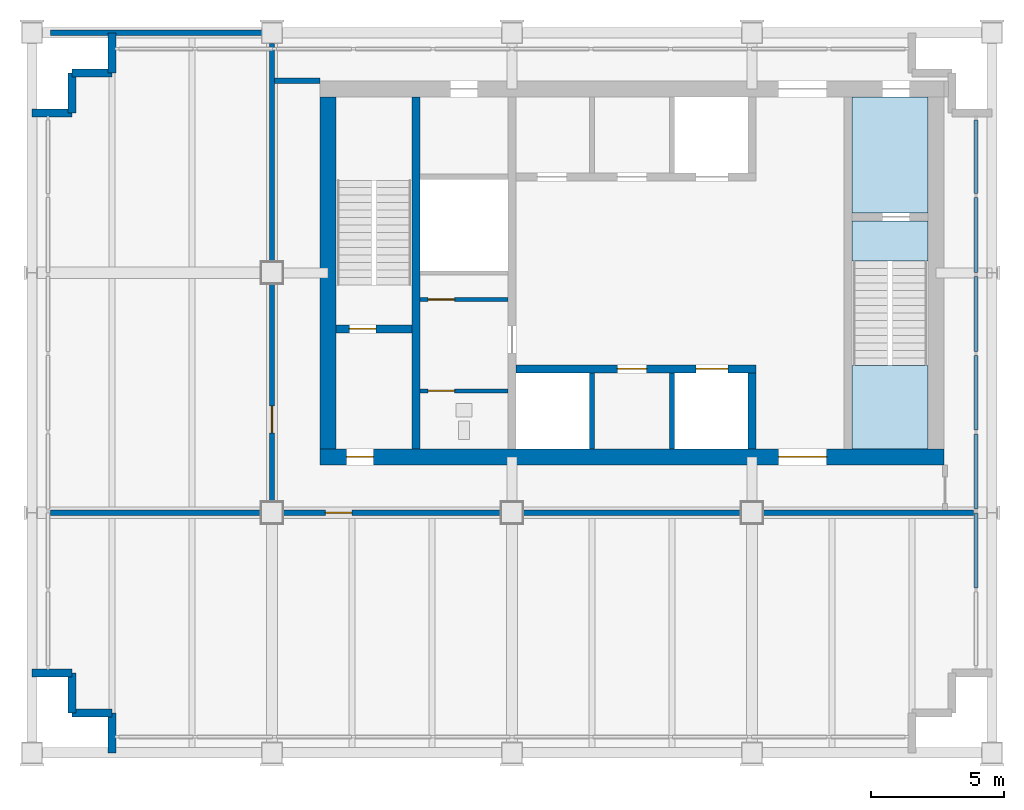
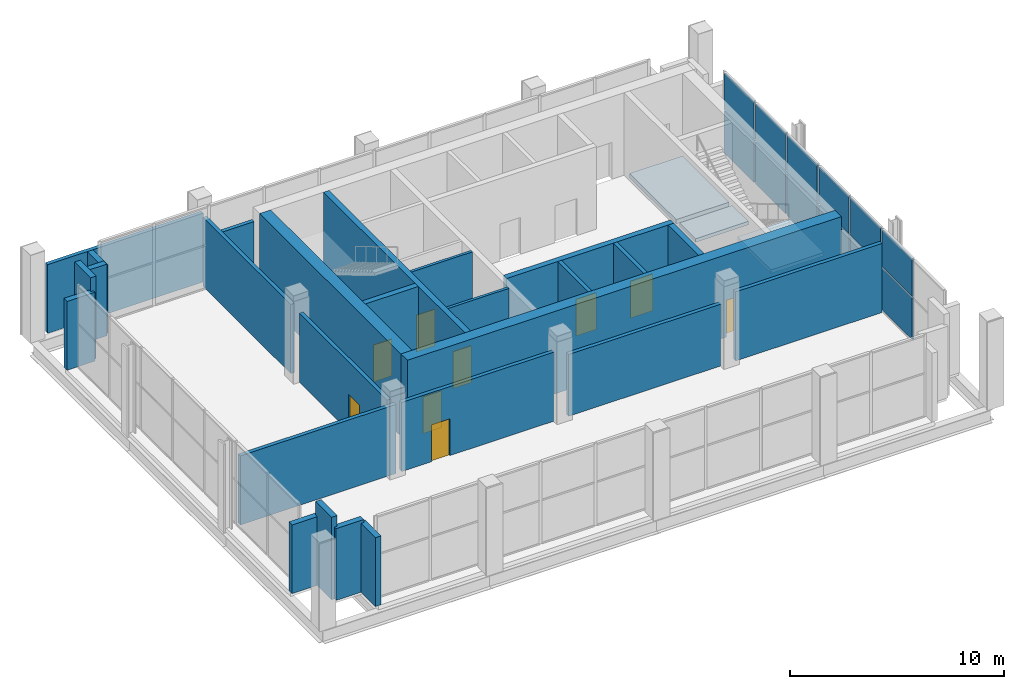
# One storey, part 7 of 10: 26 walls, 12 plates, 9 doors, 3 slabs, 9 openings, 2 elements without a shape of their own.
"""IFC4 building model written with IfcOpenShell, lengths in metres."""

from ifc_helpers import new_model, si_unit, direction, frame, frame_2d, origin, origin_2d, place, context, subcontext, project, spatial, polyline, rectangle, outline, extrude, material, layer, layer_set, type_object, element, fill, aggregate, save


model = new_model("IFC4")

# Units and contexts
model_context = context("Model", 3, precision=1e-05, world=origin(), true_north=direction((0.0, 1.0)))
body_context = subcontext(model_context, "Body", "Model", "MODEL_VIEW")
ifc_project = project(units=[si_unit("LENGTHUNIT", "METRE"), si_unit("AREAUNIT", "SQUARE_METRE"), si_unit("VOLUMEUNIT", "CUBIC_METRE"), si_unit("PLANEANGLEUNIT", "RADIAN"), si_unit("MASSUNIT", "GRAM", prefix="KILO")], contexts=[model_context])

# Site, building, storey
site_placement = place(None, origin())
site = spatial("IfcSite", under=ifc_project, at=site_placement, CompositionType="ELEMENT")
building_placement = place(site_placement, origin())
building = spatial("IfcBuilding", under=site, at=building_placement, Name="Loomwork Tower", CompositionType="ELEMENT")
storey_placement = place(building_placement, frame((0.0, 0.0, 274.800048828125)))
storey = spatial("IfcBuildingStorey", under=building, at=storey_placement, Name="L75", CompositionType="ELEMENT", Elevation=274.800048828125)

# Slab
ifc_material_1 = material(Name="Concrete 5000 psi (34 MPa) on composite metal deck", Category="concrete")
ifc_layer_1 = layer(ifc_material_1, 0.25)
ifc_layer_set_1 = layer_set([ifc_layer_1], Name="Floor slab 250")
slab_type_1 = type_object("IfcSlabType", Name="Floor slab 250", PredefinedType="FLOOR", material=ifc_layer_set_1)
slab_1_placement = place(storey_placement, frame((0.0, 0.0, -0.25)))
element("IfcSlab", 1, at=slab_1_placement, inside=storey, type_object=slab_type_1, Name="Floor slab L75", PredefinedType="FLOOR", context=body_context, shape_type="SweptSolid", body=[
    extrude(outline(polyline([(33.60009765625, 20.25), (30.75, 20.25), (30.75, 24.60009765625), (33.60009765625, 24.60009765625), (33.60009765625, 20.25)])), origin(), (0.0, 0.0, 1.0), 0.25),
])

# Curtain wall, plates
ifc_material_2 = material(Name="Aluminium louvre frame", Category="aluminium")
curtain_wall_type = type_object("IfcCurtainWallType", Name="Plant floor louvre screen", PredefinedType="NOTDEFINED", material=ifc_material_2)
curtain_wall_placement = place(storey_placement, origin())
curtain_wall = element("IfcCurtainWall", 2, at=curtain_wall_placement, inside=storey, type_object=curtain_wall_type, Name="Plant floor louvre screen cw/E", PredefinedType="NOTDEFINED")
ifc_material_3 = material(Name="Aluminium louvre blade panel", Category="aluminium")
ifc_layer_2 = layer(ifc_material_3, 0.10009765625)
ifc_layer_set_2 = layer_set([ifc_layer_2], Name="Plant floor louvre screen panel")
plate_type = type_object("IfcPlateType", Name="Plant floor louvre screen panel", PredefinedType="CURTAIN_PANEL", material=ifc_layer_set_2)
plate_1_placement = place(storey_placement, frame((35.39990234375, 7.585693359375, 0.080078125), z_axis=(0.0, 0.0, 1.0), x_axis=(0.0, 1.0, 0.0)))
plate_1 = element("IfcPlate", 3, at=plate_1_placement, type_object=plate_type, Name="CW4 panel 2.1", PredefinedType="CURTAIN_PANEL", context=body_context, shape_type="SweptSolid", body=[
    extrude(rectangle(XDim=2.80712890625, YDim=0.10009765625, at=origin_2d()), origin(), (0.0, 0.0, 1.0), 2.3798828125),
])
plate_2_placement = place(storey_placement, frame((35.39990234375, 7.585693359375, 2.539794921875), z_axis=(0.0, 0.0, 1.0), x_axis=(0.0, 1.0, 0.0)))
plate_2 = element("IfcPlate", 4, at=plate_2_placement, type_object=plate_type, Name="CW4 panel 2.2", PredefinedType="CURTAIN_PANEL", context=body_context, shape_type="SweptSolid", body=[
    extrude(rectangle(XDim=2.80712890625, YDim=0.10009765625, at=origin_2d()), origin(), (0.0, 0.0, 1.0), 2.080078125),
])
plate_3_placement = place(storey_placement, frame((35.39990234375, 10.54296875, 0.080078125), z_axis=(0.0, 0.0, 1.0), x_axis=(0.0, 1.0, 0.0)))
plate_3 = element("IfcPlate", 5, at=plate_3_placement, type_object=plate_type, Name="CW4 panel 3.1", PredefinedType="CURTAIN_PANEL", context=body_context, shape_type="SweptSolid", body=[
    extrude(rectangle(XDim=2.80712890625, YDim=0.10009765625, at=origin_2d()), origin(), (0.0, 0.0, 1.0), 2.3798828125),
])
plate_4_placement = place(storey_placement, frame((35.39990234375, 10.54296875, 2.539794921875), z_axis=(0.0, 0.0, 1.0), x_axis=(0.0, 1.0, 0.0)))
plate_4 = element("IfcPlate", 6, at=plate_4_placement, type_object=plate_type, Name="CW4 panel 3.2", PredefinedType="CURTAIN_PANEL", context=body_context, shape_type="SweptSolid", body=[
    extrude(rectangle(XDim=2.80712890625, YDim=0.10009765625, at=origin_2d()), origin(), (0.0, 0.0, 1.0), 2.080078125),
])
plate_5_placement = place(storey_placement, frame((35.39990234375, 13.5, 0.080078125), z_axis=(0.0, 0.0, 1.0), x_axis=(0.0, 1.0, 0.0)))
plate_5 = element("IfcPlate", 7, at=plate_5_placement, type_object=plate_type, Name="CW4 panel 4.1", PredefinedType="CURTAIN_PANEL", context=body_context, shape_type="SweptSolid", body=[
    extrude(rectangle(XDim=2.80712890625, YDim=0.10009765625, at=origin_2d()), origin(), (0.0, 0.0, 1.0), 2.3798828125),
])
plate_6_placement = place(storey_placement, frame((35.39990234375, 13.5, 2.539794921875), z_axis=(0.0, 0.0, 1.0), x_axis=(0.0, 1.0, 0.0)))
plate_6 = element("IfcPlate", 8, at=plate_6_placement, type_object=plate_type, Name="CW4 panel 4.2", PredefinedType="CURTAIN_PANEL", context=body_context, shape_type="SweptSolid", body=[
    extrude(rectangle(XDim=2.80712890625, YDim=0.10009765625, at=origin_2d()), origin(), (0.0, 0.0, 1.0), 2.080078125),
])
plate_7_placement = place(storey_placement, frame((35.39990234375, 16.45703125, 0.080078125), z_axis=(0.0, 0.0, 1.0), x_axis=(0.0, 1.0, 0.0)))
plate_7 = element("IfcPlate", 9, at=plate_7_placement, type_object=plate_type, Name="CW4 panel 5.1", PredefinedType="CURTAIN_PANEL", context=body_context, shape_type="SweptSolid", body=[
    extrude(rectangle(XDim=2.80712890625, YDim=0.10009765625, at=origin_2d()), origin(), (0.0, 0.0, 1.0), 2.3798828125),
])
plate_8_placement = place(storey_placement, frame((35.39990234375, 16.45703125, 2.539794921875), z_axis=(0.0, 0.0, 1.0), x_axis=(0.0, 1.0, 0.0)))
plate_8 = element("IfcPlate", 10, at=plate_8_placement, type_object=plate_type, Name="CW4 panel 5.2", PredefinedType="CURTAIN_PANEL", context=body_context, shape_type="SweptSolid", body=[
    extrude(rectangle(XDim=2.80712890625, YDim=0.10009765625, at=origin_2d()), origin(), (0.0, 0.0, 1.0), 2.080078125),
])
plate_9_placement = place(storey_placement, frame((35.39990234375, 19.414306640625, 0.080078125), z_axis=(0.0, 0.0, 1.0), x_axis=(0.0, 1.0, 0.0)))
plate_9 = element("IfcPlate", 11, at=plate_9_placement, type_object=plate_type, Name="CW4 panel 6.1", PredefinedType="CURTAIN_PANEL", context=body_context, shape_type="SweptSolid", body=[
    extrude(rectangle(XDim=2.80712890625, YDim=0.10009765625, at=origin_2d()), origin(), (0.0, 0.0, 1.0), 2.3798828125),
])
plate_10_placement = place(storey_placement, frame((35.39990234375, 19.414306640625, 2.539794921875), z_axis=(0.0, 0.0, 1.0), x_axis=(0.0, 1.0, 0.0)))
plate_10 = element("IfcPlate", 12, at=plate_10_placement, type_object=plate_type, Name="CW4 panel 6.2", PredefinedType="CURTAIN_PANEL", context=body_context, shape_type="SweptSolid", body=[
    extrude(rectangle(XDim=2.80712890625, YDim=0.10009765625, at=origin_2d()), origin(), (0.0, 0.0, 1.0), 2.080078125),
])
plate_11_placement = place(storey_placement, frame((35.39990234375, 22.351318359375, 0.080078125), z_axis=(0.0, 0.0, 1.0), x_axis=(0.0, 1.0, 0.0)))
plate_11 = element("IfcPlate", 13, at=plate_11_placement, type_object=plate_type, Name="CW4 panel 7.1", PredefinedType="CURTAIN_PANEL", context=body_context, shape_type="SweptSolid", body=[
    extrude(rectangle(XDim=2.76708984375, YDim=0.10009765625, at=origin_2d()), origin(), (0.0, 0.0, 1.0), 2.3798828125),
])
plate_12_placement = place(storey_placement, frame((35.39990234375, 22.351318359375, 2.539794921875), z_axis=(0.0, 0.0, 1.0), x_axis=(0.0, 1.0, 0.0)))
plate_12 = element("IfcPlate", 14, at=plate_12_placement, type_object=plate_type, Name="CW4 panel 7.2", PredefinedType="CURTAIN_PANEL", context=body_context, shape_type="SweptSolid", body=[
    extrude(rectangle(XDim=2.76708984375, YDim=0.10009765625, at=origin_2d()), origin(), (0.0, 0.0, 1.0), 2.080078125),
])
aggregate(curtain_wall, [plate_1, plate_2, plate_3, plate_4, plate_5, plate_6, plate_7, plate_8, plate_9, plate_10, plate_11, plate_12])

# Stair, slabs
ifc_material_4 = material(Name="Concrete 5000 psi (34 MPa) precast stair", Category="concrete")
stair_type = type_object("IfcStairType", Name="Stair ST-B 30 risers 2850 wide", PredefinedType="HALF_TURN_STAIR", material=ifc_material_4)
stair_placement = place(storey_placement, origin())
stair = element("IfcStair", 15, at=stair_placement, inside=storey, type_object=stair_type, Name="Stair B L75", PredefinedType="HALF_TURN_STAIR")
ifc_material_5 = material(Name="Concrete 5000 psi (34 MPa)", Category="concrete")
ifc_layer_3 = layer(ifc_material_5, 0.199951171875)
ifc_layer_set_3 = layer_set([ifc_layer_3], Name="Stair landing 200")
slab_type_2 = type_object("IfcSlabType", Name="Stair landing 200", PredefinedType="LANDING", material=ifc_layer_set_3)
slab_2_placement = place(storey_placement, frame((0.0, 0.0, -0.199951171875)))
slab_2 = element("IfcSlab", 16, at=slab_2_placement, type_object=slab_type_2, Name="ST-B landing 1", PredefinedType="LANDING", context=body_context, shape_type="SweptSolid", body=[
    extrude(outline(polyline([(30.75, 18.449951171875), (33.60009765625, 18.449951171875), (33.60009765625, 19.949951171875), (30.75, 19.949951171875), (30.75, 18.449951171875)])), origin(), (0.0, 0.0, 1.0), 0.199951171875),
])
slab_3_placement = place(storey_placement, frame((0.0, 0.0, 2.300048828125)))
slab_3 = element("IfcSlab", 17, at=slab_3_placement, type_object=slab_type_2, Name="ST-B landing 2", PredefinedType="LANDING", context=body_context, shape_type="SweptSolid", body=[
    extrude(outline(polyline([(30.75, 11.39990234375), (33.60009765625, 11.39990234375), (33.60009765625, 14.530029296875), (30.75, 14.530029296875), (30.75, 11.39990234375)])), origin(), (0.0, 0.0, 1.0), 0.199951171875),
])
aggregate(stair, [slab_2, slab_3])

# Wall
ifc_material_6 = material(Name="Concrete 14000 psi (97 MPa)", Category="concrete")
ifc_layer_4 = layer(ifc_material_6, 0.300048828125)
ifc_layer_set_4 = layer_set([ifc_layer_4], Name="Core shear wall 300")
wall_type_1 = type_object("IfcWallType", Name="Core shear wall 300", PredefinedType="SHEAR", material=ifc_layer_set_4)
wall_1_placement = place(storey_placement, frame((14.39990234375, 11.39990234375, 0.0), z_axis=(0.0, 0.0, 1.0), x_axis=(0.0, 1.0, 0.0)))
element("IfcWall", 18, at=wall_1_placement, inside=storey, type_object=wall_type_1, Name="Stair A east wall L75", PredefinedType="SHEAR", context=body_context, shape_type="SweptSolid", body=[
    extrude(rectangle(XDim=13.2001953125, YDim=0.300048828125, at=frame_2d((6.60009765625, 0.0))), origin(), (0.0, 0.0, 1.0), 4.699951171875),
])

# Wall, opening, door
wall_2_placement = place(storey_placement, frame((11.39990234375, 15.89990234375, 0.0), z_axis=(0.0, 0.0, 1.0), x_axis=(1.0, 0.0, 0.0)))
wall_2 = element("IfcWall", 19, at=wall_2_placement, inside=storey, type_object=wall_type_1, Name="Stair A south wall L75", PredefinedType="SHEAR", context=body_context, shape_type="SweptSolid", body=[
    extrude(rectangle(XDim=2.85009765625, YDim=0.300048828125, at=frame_2d((1.425048828125, 0.0))), origin(), (0.0, 0.0, 1.0), 4.699951171875),
])
opening_1_placement = place(wall_2_placement, frame((0.5, 0.0, 0.0)))
opening_1 = element("IfcOpeningElement", 20, at=opening_1_placement, cuts=wall_2, Name="Opening D4", PredefinedType="OPENING", context=body_context, shape_type="SweptSolid", body=[
    extrude(rectangle(XDim=1.0, YDim=2.10009765625, at=frame_2d((0.5, 1.050048828125))), frame((0.0, 0.159912109375, 0.0), z_axis=(0.0, -1.0, 0.0), x_axis=(1.0, 0.0, 0.0)), (0.0, 0.0, 1.0), 0.320068359375),
])
ifc_material_7 = material(Name="Hollow metal door and frame")
door_type_1 = type_object("IfcDoorType", Name="Stair door 1000", OperationType="SINGLE_SWING_RIGHT", PredefinedType="DOOR", material=ifc_material_7)
door_1_placement = place(opening_1_placement, origin())
door_1 = element("IfcDoor", 21, at=door_1_placement, inside=storey, type_object=door_type_1, Name="Stair A door", OperationType="SINGLE_SWING_LEFT", OverallHeight=2.10009765625, OverallWidth=1.0, PredefinedType="DOOR", context=body_context, shape_type="SweptSolid", body=[
    extrude(rectangle(XDim=1.0, YDim=2.10009765625, at=frame_2d((0.5, 1.050048828125))), frame((0.0, 0.02490234375, 0.0), z_axis=(0.0, -1.0, 0.0), x_axis=(1.0, 0.0, 0.0)), (0.0, 0.0, 1.0), 0.050048828125),
])
fill(opening_1, door_1)

# Wall, openings, doors
wall_3_placement = place(storey_placement, frame((18.14990234375, 14.39990234375, 0.0), z_axis=(0.0, 0.0, 1.0), x_axis=(1.0, 0.0, 0.0)))
wall_3 = element("IfcWall", 22, at=wall_3_placement, inside=storey, type_object=wall_type_1, Name="Lift front wall south L75", PredefinedType="SHEAR", context=body_context, shape_type="SweptSolid", body=[
    extrude(rectangle(XDim=9.0, YDim=0.300048828125, at=frame_2d((4.5, 0.0))), origin(), (0.0, 0.0, 1.0), 4.699951171875),
])
opening_2_placement = place(wall_3_placement, frame((6.75, 0.0, 0.0)))
opening_2 = element("IfcOpeningElement", 23, at=opening_2_placement, cuts=wall_3, Name="Opening LD2", PredefinedType="OPENING", context=body_context, shape_type="SweptSolid", body=[
    extrude(rectangle(XDim=1.199951171875, YDim=2.10009765625, at=frame_2d((0.60009765625, 1.050048828125))), frame((0.0, 0.159912109375, 0.0), z_axis=(0.0, -1.0, 0.0), x_axis=(1.0, 0.0, 0.0)), (0.0, 0.0, 1.0), 0.320068359375),
])
opening_3_placement = place(wall_3_placement, frame((3.800048828125, 0.0, 0.0)))
opening_3 = element("IfcOpeningElement", 24, at=opening_3_placement, cuts=wall_3, Name="Opening D17", PredefinedType="OPENING", context=body_context, shape_type="SweptSolid", body=[
    extrude(rectangle(XDim=1.10009765625, YDim=2.10009765625, at=frame_2d((0.550048828125, 1.050048828125))), frame((0.0, 0.159912109375, 0.0), z_axis=(0.0, -1.0, 0.0), x_axis=(1.0, 0.0, 0.0)), (0.0, 0.0, 1.0), 0.320068359375),
])
ifc_material_8 = material(Name="Hollow metal door and frame")
door_type_2 = type_object("IfcDoorType", Name="Lift landing door 1200", OperationType="SLIDING_TO_LEFT", PredefinedType="DOOR", material=ifc_material_8)
door_2_placement = place(opening_2_placement, origin())
door_2 = element("IfcDoor", 25, at=door_2_placement, inside=storey, type_object=door_type_2, Name="Lift landing door LF1", OperationType="SLIDING_TO_LEFT", OverallHeight=2.10009765625, OverallWidth=1.199951171875, PredefinedType="DOOR", context=body_context, shape_type="SweptSolid", body=[
    extrude(rectangle(XDim=1.199951171875, YDim=2.10009765625, at=frame_2d((0.60009765625, 1.050048828125))), frame((0.0, 0.02490234375, 0.0), z_axis=(0.0, -1.0, 0.0), x_axis=(1.0, 0.0, 0.0)), (0.0, 0.0, 1.0), 0.050048828125),
])
fill(opening_2, door_2)
ifc_material_9 = material(Name="Hollow metal door and frame")
door_type_3 = type_object("IfcDoorType", Name="Service room door 1100", OperationType="SINGLE_SWING_LEFT", PredefinedType="DOOR", material=ifc_material_9)
door_3_placement = place(opening_3_placement, frame((1.10009765625, 0.0, 0.0), z_axis=(0.0, 0.0, 1.0), x_axis=(-1.0, 0.0, 0.0)))
door_3 = element("IfcDoor", 26, at=door_3_placement, inside=storey, type_object=door_type_3, Name="Guest pantry, ice and vending door L75", OperationType="SINGLE_SWING_RIGHT", OverallHeight=2.10009765625, OverallWidth=1.10009765625, PredefinedType="DOOR", context=body_context, shape_type="SweptSolid", body=[
    extrude(rectangle(XDim=1.10009765625, YDim=2.10009765625, at=frame_2d((0.550048828125, 1.050048828125))), frame((0.0, 0.02490234375, 0.0), z_axis=(0.0, -1.0, 0.0), x_axis=(1.0, 0.0, 0.0)), (0.0, 0.0, 1.0), 0.050048828125),
])
fill(opening_3, door_3)

# Wall
wall_4_placement = place(storey_placement, frame((27.0, 11.39990234375, 0.0), z_axis=(0.0, 0.0, 1.0), x_axis=(0.0, 1.0, 0.0)))
element("IfcWall", 27, at=wall_4_placement, inside=storey, type_object=wall_type_1, Name="Lift shaft end wall south L75", PredefinedType="SHEAR", context=body_context, shape_type="SweptSolid", body=[
    extrude(rectangle(XDim=2.85009765625, YDim=0.300048828125, at=frame_2d((1.425048828125, 0.0))), origin(), (0.0, 0.0, 1.0), 4.699951171875),
])

# Wall, openings, doors
ifc_material_10 = material(Name="Concrete 14000 psi (97 MPa)", Category="concrete")
ifc_layer_5 = layer(ifc_material_10, 0.60009765625)
ifc_layer_set_5 = layer_set([ifc_layer_5], Name="Core shear wall 600")
wall_type_2 = type_object("IfcWallType", Name="Core shear wall 600", PredefinedType="SHEAR", material=ifc_layer_set_5)
wall_5_placement = place(storey_placement, frame((10.800048828125, 11.10009765625, 0.0), z_axis=(0.0, 0.0, 1.0), x_axis=(1.0, 0.0, 0.0)))
wall_5 = element("IfcWall", 28, at=wall_5_placement, inside=storey, type_object=wall_type_2, Name="Core wall south L75", PredefinedType="SHEAR", context=body_context, shape_type="SweptSolid", body=[
    extrude(rectangle(XDim=23.39990234375, YDim=0.60009765625, at=frame_2d((11.699951171875, 0.0))), origin(), (0.0, 0.0, 1.0), 4.699951171875),
])
opening_4_placement = place(wall_5_placement, frame((1.0, 0.0, 0.0)))
opening_4 = element("IfcOpeningElement", 29, at=opening_4_placement, cuts=wall_5, Name="Opening D4", PredefinedType="OPENING", context=body_context, shape_type="SweptSolid", body=[
    extrude(rectangle(XDim=1.0, YDim=2.10009765625, at=frame_2d((0.5, 1.050048828125))), frame((0.0, 0.31005859375, 0.0), z_axis=(0.0, -1.0, 0.0), x_axis=(1.0, 0.0, 0.0)), (0.0, 0.0, 1.0), 0.6201171875),
])
opening_5_placement = place(wall_5_placement, frame((17.199951171875, 0.0, 0.0)))
opening_5 = element("IfcOpeningElement", 30, at=opening_5_placement, cuts=wall_5, Name="Opening D6", PredefinedType="OPENING", context=body_context, shape_type="SweptSolid", body=[
    extrude(rectangle(XDim=1.800048828125, YDim=2.10009765625, at=frame_2d((0.89990234375, 1.050048828125))), frame((0.0, 0.31005859375, 0.0), z_axis=(0.0, -1.0, 0.0), x_axis=(1.0, 0.0, 0.0)), (0.0, 0.0, 1.0), 0.6201171875),
])
ifc_material_11 = material(Name="Hollow metal door and frame")
door_type_4 = type_object("IfcDoorType", Name="Lobby passage double door 1800", OperationType="DOUBLE_DOOR_SINGLE_SWING", PredefinedType="DOOR", material=ifc_material_11)
door_4_placement = place(opening_5_placement, origin())
door_4 = element("IfcDoor", 31, at=door_4_placement, inside=storey, type_object=door_type_4, Name="Lobby passage door south", OperationType="DOUBLE_DOOR_SINGLE_SWING", OverallHeight=2.10009765625, OverallWidth=1.800048828125, PredefinedType="DOOR", context=body_context, shape_type="SweptSolid", body=[
    extrude(rectangle(XDim=1.800048828125, YDim=2.10009765625, at=frame_2d((0.89990234375, 1.050048828125))), frame((0.0, 0.02490234375, 0.0), z_axis=(0.0, -1.0, 0.0), x_axis=(1.0, 0.0, 0.0)), (0.0, 0.0, 1.0), 0.050048828125),
])
fill(opening_5, door_4)
door_5_placement = place(opening_4_placement, origin())
door_5 = element("IfcDoor", 32, at=door_5_placement, inside=storey, type_object=door_type_1, Name="Stair A vestibule door", OperationType="SINGLE_SWING_LEFT", OverallHeight=2.10009765625, OverallWidth=1.0, PredefinedType="DOOR", context=body_context, shape_type="SweptSolid", body=[
    extrude(rectangle(XDim=1.0, YDim=2.10009765625, at=frame_2d((0.5, 1.050048828125))), frame((0.0, 0.02490234375, 0.0), z_axis=(0.0, -1.0, 0.0), x_axis=(1.0, 0.0, 0.0)), (0.0, 0.0, 1.0), 0.050048828125),
])
fill(opening_4, door_5)

# Wall
wall_6_placement = place(storey_placement, frame((11.10009765625, 11.39990234375, 0.0), z_axis=(0.0, 0.0, 1.0), x_axis=(0.0, 1.0, 0.0)))
element("IfcWall", 33, at=wall_6_placement, inside=storey, type_object=wall_type_2, Name="Core wall west L75", PredefinedType="SHEAR", context=body_context, shape_type="SweptSolid", body=[
    extrude(rectangle(XDim=13.2001953125, YDim=0.60009765625, at=frame_2d((6.60009765625, 0.0))), origin(), (0.0, 0.0, 1.0), 4.699951171875),
])

# Wall, opening, door
ifc_material_12 = material(Name="Gypsum board on steel studs, one-hour", Category="steel")
ifc_layer_6 = layer(ifc_material_12, 0.199951171875)
ifc_layer_set_6 = layer_set([ifc_layer_6], Name="Corridor wall 200")
wall_type_3 = type_object("IfcWallType", Name="Corridor wall 200", PredefinedType="PARTITIONING", material=ifc_layer_set_6)
wall_7_placement = place(storey_placement, frame((9.39990234375, 9.0, 0.0), z_axis=(0.0, 0.0, 1.0), x_axis=(1.0, 0.0, 0.0)))
wall_7 = element("IfcWall", 34, at=wall_7_placement, inside=storey, type_object=wall_type_3, Name="Plant corridor wall S 1", PredefinedType="PARTITIONING", context=body_context, shape_type="SweptSolid", body=[
    extrude(rectangle(XDim=8.2001953125, YDim=0.199951171875, at=frame_2d((4.10009765625, 0.0))), origin(), (0.0, 0.0, 1.0), 3.93798828125),
])
opening_6_placement = place(wall_7_placement, frame((1.60009765625, 0.0, 0.0)))
opening_6 = element("IfcOpeningElement", 35, at=opening_6_placement, cuts=wall_7, Name="Opening D18", PredefinedType="OPENING", context=body_context, shape_type="SweptSolid", body=[
    extrude(rectangle(XDim=1.0, YDim=2.10009765625, at=frame_2d((0.5, 1.050048828125))), frame((0.0, 0.10986328125, 0.0), z_axis=(0.0, -1.0, 0.0), x_axis=(1.0, 0.0, 0.0)), (0.0, 0.0, 1.0), 0.219970703125),
])
ifc_material_13 = material(Name="Hollow metal door and frame")
door_type_5 = type_object("IfcDoorType", Name="Ninety-minute service door 1000", OperationType="SINGLE_SWING_LEFT", PredefinedType="DOOR", material=ifc_material_13)
door_6_placement = place(opening_6_placement, frame((1.0, 0.0, 0.0), z_axis=(0.0, 0.0, 1.0), x_axis=(-1.0, 0.0, 0.0)))
door_6 = element("IfcDoor", 36, at=door_6_placement, inside=storey, type_object=door_type_5, Name="Mechanical plant room and lift overrun door", OperationType="SINGLE_SWING_RIGHT", OverallHeight=2.10009765625, OverallWidth=1.0, PredefinedType="DOOR", context=body_context, shape_type="SweptSolid", body=[
    extrude(rectangle(XDim=1.0, YDim=2.10009765625, at=frame_2d((0.5, 1.050048828125))), frame((0.0, 0.02490234375, 0.0), z_axis=(0.0, -1.0, 0.0), x_axis=(1.0, 0.0, 0.0)), (0.0, 0.0, 1.0), 0.050048828125),
])
fill(opening_6, door_6)

# Walls
wall_8_placement = place(storey_placement, frame((18.39990234375, 9.0, 0.0), z_axis=(0.0, 0.0, 1.0), x_axis=(1.0, 0.0, 0.0)))
element("IfcWall", 37, at=wall_8_placement, inside=storey, type_object=wall_type_3, Name="Plant corridor wall S 2", PredefinedType="PARTITIONING", context=body_context, shape_type="SweptSolid", body=[
    extrude(rectangle(XDim=8.2001953125, YDim=0.199951171875, at=frame_2d((4.10009765625, 0.0))), origin(), (0.0, 0.0, 1.0), 3.52001953125),
])
wall_9_placement = place(storey_placement, frame((27.39990234375, 9.0, 0.0), z_axis=(0.0, 0.0, 1.0), x_axis=(1.0, 0.0, 0.0)))
element("IfcWall", 38, at=wall_9_placement, inside=storey, type_object=wall_type_3, Name="Plant corridor wall S 3", PredefinedType="PARTITIONING", context=body_context, shape_type="SweptSolid", body=[
    extrude(rectangle(XDim=7.900146484375, YDim=0.199951171875, at=frame_2d((3.9501953125, 0.0))), origin(), (0.0, 0.0, 1.0), 3.93798828125),
])
wall_10_placement = place(storey_placement, frame((9.10009765625, 25.199951171875, 0.0), z_axis=(0.0, 0.0, 1.0), x_axis=(1.0, 0.0, 0.0)))
element("IfcWall", 39, at=wall_10_placement, inside=storey, type_object=wall_type_3, Name="Plant corridor end wall N 1", PredefinedType="PARTITIONING", context=body_context, shape_type="SweptSolid", body=[
    extrude(rectangle(XDim=1.699951171875, YDim=0.199951171875, at=frame_2d((0.85009765625, 0.0))), origin(), (0.0, 0.0, 1.0), 3.93798828125),
])
ifc_material_14 = material(Name="Concrete 14000 psi (97 MPa)", Category="concrete")
ifc_layer_7 = layer(ifc_material_14, 0.199951171875)
ifc_layer_set_7 = layer_set([ifc_layer_7], Name="Lift shaft wall 200")
wall_type_4 = type_object("IfcWallType", Name="Lift shaft wall 200", PredefinedType="SHEAR", material=ifc_layer_set_7)
for number, where, z_axis, x_axis, name in (
    (40, (21.0, 11.39990234375, 0.0), (0.0, 0.0, 1.0), (0.0, 1.0, 0.0), "Lift shaft separation wall south 1 L75"),
    (41, (24.0, 11.39990234375, 0.0), (0.0, 0.0, 1.0), (0.0, 1.0, 0.0), "Lift shaft separation wall south 2 L75"),
):
    element("IfcWall", number, at=place(storey_placement, frame(where, z_axis=z_axis, x_axis=x_axis)), inside=storey, type_object=wall_type_4, Name=name, PredefinedType="SHEAR", context=body_context, shape_type="SweptSolid", body=[
        extrude(rectangle(XDim=2.85009765625, YDim=0.199951171875, at=frame_2d((1.425048828125, 0.0))), origin(), (0.0, 0.0, 1.0), 4.699951171875),
    ])
ifc_material_15 = material(Name="Limestone on concrete masonry", Category="masonry")
ifc_layer_8 = layer(ifc_material_15, 0.300048828125)
ifc_layer_set_8 = layer_set([ifc_layer_8], Name="Limestone corner wall 300")
wall_type_5 = type_object("IfcWallType", Name="Limestone corner wall 300", PredefinedType="SOLIDWALL", material=ifc_layer_set_8)
wall_11_placement = place(storey_placement, frame((3.0, 27.0, 0.0), z_axis=(0.0, 0.0, 1.0), x_axis=(0.0, -1.0, 0.0)))
element("IfcWall", 42, at=wall_11_placement, inside=storey, type_object=wall_type_5, Name="Stone corner wall NW 1", PredefinedType="SOLIDWALL", context=body_context, shape_type="SweptSolid", body=[
    extrude(rectangle(XDim=1.5, YDim=0.300048828125, at=frame_2d((0.75, 0.0))), origin(), (0.0, 0.0, 1.0), 3.919921875),
])
wall_12_placement = place(storey_placement, frame((3.0, 25.5, 0.0), z_axis=(0.0, 0.0, 1.0), x_axis=(-1.0, 0.0, 0.0)))
element("IfcWall", 43, at=wall_12_placement, inside=storey, type_object=wall_type_5, Name="Stone corner wall NW 2", PredefinedType="SOLIDWALL", context=body_context, shape_type="SweptSolid", body=[
    extrude(rectangle(XDim=1.5, YDim=0.300048828125, at=frame_2d((0.75, 0.0))), origin(), (0.0, 0.0, 1.0), 4.092041015625),
])
wall_13_placement = place(storey_placement, frame((1.5, 25.5, 0.0), z_axis=(0.0, 0.0, 1.0), x_axis=(0.0, -1.0, 0.0)))
element("IfcWall", 44, at=wall_13_placement, inside=storey, type_object=wall_type_5, Name="Stone corner wall NW 3", PredefinedType="SOLIDWALL", context=body_context, shape_type="SweptSolid", body=[
    extrude(rectangle(XDim=1.5, YDim=0.300048828125, at=frame_2d((0.75, 0.0))), origin(), (0.0, 0.0, 1.0), 4.699951171875),
])
for number, where, z_axis, x_axis, name in (
    (45, (1.5, 24.0, 0.0), (0.0, 0.0, 1.0), (-1.0, 0.0, 0.0), "Stone corner wall NW 4"),
    (46, (0.0, 3.0, 0.0), (0.0, 0.0, 1.0), (1.0, 0.0, 0.0), "Stone corner wall SW 1"),
):
    element("IfcWall", number, at=place(storey_placement, frame(where, z_axis=z_axis, x_axis=x_axis)), inside=storey, type_object=wall_type_5, Name=name, PredefinedType="SOLIDWALL", context=body_context, shape_type="SweptSolid", body=[
        extrude(rectangle(XDim=1.5, YDim=0.300048828125, at=frame_2d((0.75, 0.0))), origin(), (0.0, 0.0, 1.0), 3.919921875),
    ])
wall_14_placement = place(storey_placement, frame((1.5, 3.0, 0.0), z_axis=(0.0, 0.0, 1.0), x_axis=(0.0, -1.0, 0.0)))
element("IfcWall", 47, at=wall_14_placement, inside=storey, type_object=wall_type_5, Name="Stone corner wall SW 2", PredefinedType="SOLIDWALL", context=body_context, shape_type="SweptSolid", body=[
    extrude(rectangle(XDim=1.5, YDim=0.300048828125, at=frame_2d((0.75, 0.0))), origin(), (0.0, 0.0, 1.0), 4.699951171875),
])
wall_15_placement = place(storey_placement, frame((1.5, 1.5, 0.0), z_axis=(0.0, 0.0, 1.0), x_axis=(1.0, 0.0, 0.0)))
element("IfcWall", 48, at=wall_15_placement, inside=storey, type_object=wall_type_5, Name="Stone corner wall SW 3", PredefinedType="SOLIDWALL", context=body_context, shape_type="SweptSolid", body=[
    extrude(rectangle(XDim=1.5, YDim=0.300048828125, at=frame_2d((0.75, 0.0))), origin(), (0.0, 0.0, 1.0), 4.092041015625),
])
wall_16_placement = place(storey_placement, frame((3.0, 1.5, 0.0), z_axis=(0.0, 0.0, 1.0), x_axis=(0.0, -1.0, 0.0)))
element("IfcWall", 49, at=wall_16_placement, inside=storey, type_object=wall_type_5, Name="Stone corner wall SW 4", PredefinedType="SOLIDWALL", context=body_context, shape_type="SweptSolid", body=[
    extrude(rectangle(XDim=1.5, YDim=0.300048828125, at=frame_2d((0.75, 0.0))), origin(), (0.0, 0.0, 1.0), 3.919921875),
])

# Wall, opening, door
ifc_material_16 = material(Name="Gypsum board on steel studs, two-hour", Category="steel")
ifc_layer_9 = layer(ifc_material_16, 0.199951171875)
ifc_layer_set_9 = layer_set([ifc_layer_9], Name="Refuge enclosure wall 200")
wall_type_6 = type_object("IfcWallType", Name="Refuge enclosure wall 200", PredefinedType="PARTITIONING", material=ifc_layer_set_9)
wall_17_placement = place(storey_placement, frame((9.0, 9.39990234375, 0.0), z_axis=(0.0, 0.0, 1.0), x_axis=(0.0, 1.0, 0.0)))
wall_17 = element("IfcWall", 50, at=wall_17_placement, inside=storey, type_object=wall_type_6, Name="Refuge area wall 1", PredefinedType="PARTITIONING", context=body_context, shape_type="SweptSolid", body=[
    extrude(rectangle(XDim=8.2001953125, YDim=0.199951171875, at=frame_2d((4.10009765625, 0.0))), origin(), (0.0, 0.0, 1.0), 3.93798828125),
])
opening_7_placement = place(wall_17_placement, frame((2.60009765625, 0.0, 0.0)))
opening_7 = element("IfcOpeningElement", 51, at=opening_7_placement, cuts=wall_17, Name="Opening D4", PredefinedType="OPENING", context=body_context, shape_type="SweptSolid", body=[
    extrude(rectangle(XDim=1.0, YDim=2.10009765625, at=frame_2d((0.5, 1.050048828125))), frame((0.0, 0.10986328125, 0.0), z_axis=(0.0, -1.0, 0.0), x_axis=(1.0, 0.0, 0.0)), (0.0, 0.0, 1.0), 0.219970703125),
])
door_7_placement = place(opening_7_placement, origin())
door_7 = element("IfcDoor", 52, at=door_7_placement, inside=storey, type_object=door_type_1, Name="Refuge area door", OperationType="SINGLE_SWING_LEFT", OverallHeight=2.10009765625, OverallWidth=1.0, PredefinedType="DOOR", context=body_context, shape_type="SweptSolid", body=[
    extrude(rectangle(XDim=1.0, YDim=2.10009765625, at=frame_2d((0.5, 1.050048828125))), frame((0.0, 0.02490234375, 0.0), z_axis=(0.0, -1.0, 0.0), x_axis=(1.0, 0.0, 0.0)), (0.0, 0.0, 1.0), 0.050048828125),
])
fill(opening_7, door_7)

# Walls
wall_18_placement = place(storey_placement, frame((9.0, 18.39990234375, 0.0), z_axis=(0.0, 0.0, 1.0), x_axis=(0.0, 1.0, 0.0)))
element("IfcWall", 53, at=wall_18_placement, inside=storey, type_object=wall_type_6, Name="Refuge area wall 2", PredefinedType="PARTITIONING", context=body_context, shape_type="SweptSolid", body=[
    extrude(rectangle(XDim=8.2001953125, YDim=0.199951171875, at=frame_2d((4.10009765625, 0.0))), origin(), (0.0, 0.0, 1.0), 3.93798828125),
])
wall_19_placement = place(storey_placement, frame((0.699951171875, 9.0, 0.0), z_axis=(0.0, 0.0, 1.0), x_axis=(1.0, 0.0, 0.0)))
element("IfcWall", 54, at=wall_19_placement, inside=storey, type_object=wall_type_6, Name="Refuge area wall S", PredefinedType="PARTITIONING", context=body_context, shape_type="SweptSolid", body=[
    extrude(rectangle(XDim=8.400146484375, YDim=0.199951171875, at=frame_2d((4.2001953125, 0.0))), origin(), (0.0, 0.0, 1.0), 3.93798828125),
])
wall_20_placement = place(storey_placement, frame((0.699951171875, 27.0, 0.0), z_axis=(0.0, 0.0, 1.0), x_axis=(1.0, 0.0, 0.0)))
element("IfcWall", 55, at=wall_20_placement, inside=storey, type_object=wall_type_6, Name="Refuge area wall N", PredefinedType="PARTITIONING", context=body_context, shape_type="SweptSolid", body=[
    extrude(rectangle(XDim=8.400146484375, YDim=0.199951171875, at=frame_2d((4.2001953125, 0.0))), origin(), (0.0, 0.0, 1.0), 3.920166015625),
])

# Wall, opening, door
ifc_material_17 = material(Name="Gypsum board on steel studs, one-hour", Category="steel")
ifc_layer_10 = layer(ifc_material_17, 0.14990234375)
ifc_layer_set_10 = layer_set([ifc_layer_10], Name="Service partition 150")
wall_type_7 = type_object("IfcWallType", Name="Service partition 150", PredefinedType="PARTITIONING", material=ifc_layer_set_10)
wall_21_placement = place(storey_placement, frame((14.550048828125, 17.0, 0.0), z_axis=(0.0, 0.0, 1.0), x_axis=(1.0, 0.0, 0.0)))
wall_21 = element("IfcWall", 56, at=wall_21_placement, inside=storey, type_object=wall_type_7, Name="Riser enclosure L75", PredefinedType="PARTITIONING", context=body_context, shape_type="SweptSolid", body=[
    extrude(rectangle(XDim=3.300048828125, YDim=0.14990234375, at=frame_2d((1.64990234375, 0.0))), origin(), (0.0, 0.0, 1.0), 4.699951171875),
])
opening_8_placement = place(wall_21_placement, frame((0.300048828125, 0.0, 0.0)))
opening_8 = element("IfcOpeningElement", 57, at=opening_8_placement, cuts=wall_21, Name="Opening D18", PredefinedType="OPENING", context=body_context, shape_type="SweptSolid", body=[
    extrude(rectangle(XDim=1.0, YDim=2.10009765625, at=frame_2d((0.5, 1.050048828125))), frame((0.0, 0.0849609375, 0.0), z_axis=(0.0, -1.0, 0.0), x_axis=(1.0, 0.0, 0.0)), (0.0, 0.0, 1.0), 0.169921875),
])
door_8_placement = place(opening_8_placement, frame((1.0, 0.0, 0.0), z_axis=(0.0, 0.0, 1.0), x_axis=(-1.0, 0.0, 0.0)))
door_8 = element("IfcDoor", 58, at=door_8_placement, inside=storey, type_object=door_type_5, Name="Riser access door", OperationType="SINGLE_SWING_RIGHT", OverallHeight=2.10009765625, OverallWidth=1.0, PredefinedType="DOOR", context=body_context, shape_type="SweptSolid", body=[
    extrude(rectangle(XDim=1.0, YDim=2.10009765625, at=frame_2d((0.5, 1.050048828125))), frame((0.0, 0.02490234375, 0.0), z_axis=(0.0, -1.0, 0.0), x_axis=(1.0, 0.0, 0.0)), (0.0, 0.0, 1.0), 0.050048828125),
])
fill(opening_8, door_8)

wall_22_placement = place(storey_placement, frame((14.550048828125, 13.574951171875, 0.0), z_axis=(0.0, 0.0, 1.0), x_axis=(1.0, 0.0, 0.0)))
wall_22 = element("IfcWall", 59, at=wall_22_placement, inside=storey, type_object=wall_type_7, Name="Back-of-house partition L75", PredefinedType="PARTITIONING", context=body_context, shape_type="SweptSolid", body=[
    extrude(rectangle(XDim=3.300048828125, YDim=0.14990234375, at=frame_2d((1.64990234375, 0.0))), origin(), (0.0, 0.0, 1.0), 4.699951171875),
])
opening_9_placement = place(wall_22_placement, frame((0.300048828125, 0.0, 0.0)))
opening_9 = element("IfcOpeningElement", 60, at=opening_9_placement, cuts=wall_22, Name="Opening D5", PredefinedType="OPENING", context=body_context, shape_type="SweptSolid", body=[
    extrude(rectangle(XDim=1.0, YDim=2.10009765625, at=frame_2d((0.5, 1.050048828125))), frame((0.0, 0.0849609375, 0.0), z_axis=(0.0, -1.0, 0.0), x_axis=(1.0, 0.0, 0.0)), (0.0, 0.0, 1.0), 0.169921875),
])
ifc_material_18 = material(Name="Hollow metal door and frame")
door_type_6 = type_object("IfcDoorType", Name="Service door 1000", OperationType="SINGLE_SWING_LEFT", PredefinedType="DOOR", material=ifc_material_18)
door_9_placement = place(opening_9_placement, frame((1.0, 0.0, 0.0), z_axis=(0.0, 0.0, 1.0), x_axis=(-1.0, 0.0, 0.0)))
door_9 = element("IfcDoor", 61, at=door_9_placement, inside=storey, type_object=door_type_6, Name="Back-of-house room door", OperationType="SINGLE_SWING_RIGHT", OverallHeight=2.10009765625, OverallWidth=1.0, PredefinedType="DOOR", context=body_context, shape_type="SweptSolid", body=[
    extrude(rectangle(XDim=1.0, YDim=2.10009765625, at=frame_2d((0.5, 1.050048828125))), frame((0.0, 0.02490234375, 0.0), z_axis=(0.0, -1.0, 0.0), x_axis=(1.0, 0.0, 0.0)), (0.0, 0.0, 1.0), 0.050048828125),
])
fill(opening_9, door_9)

save(model, "model.ifc")
